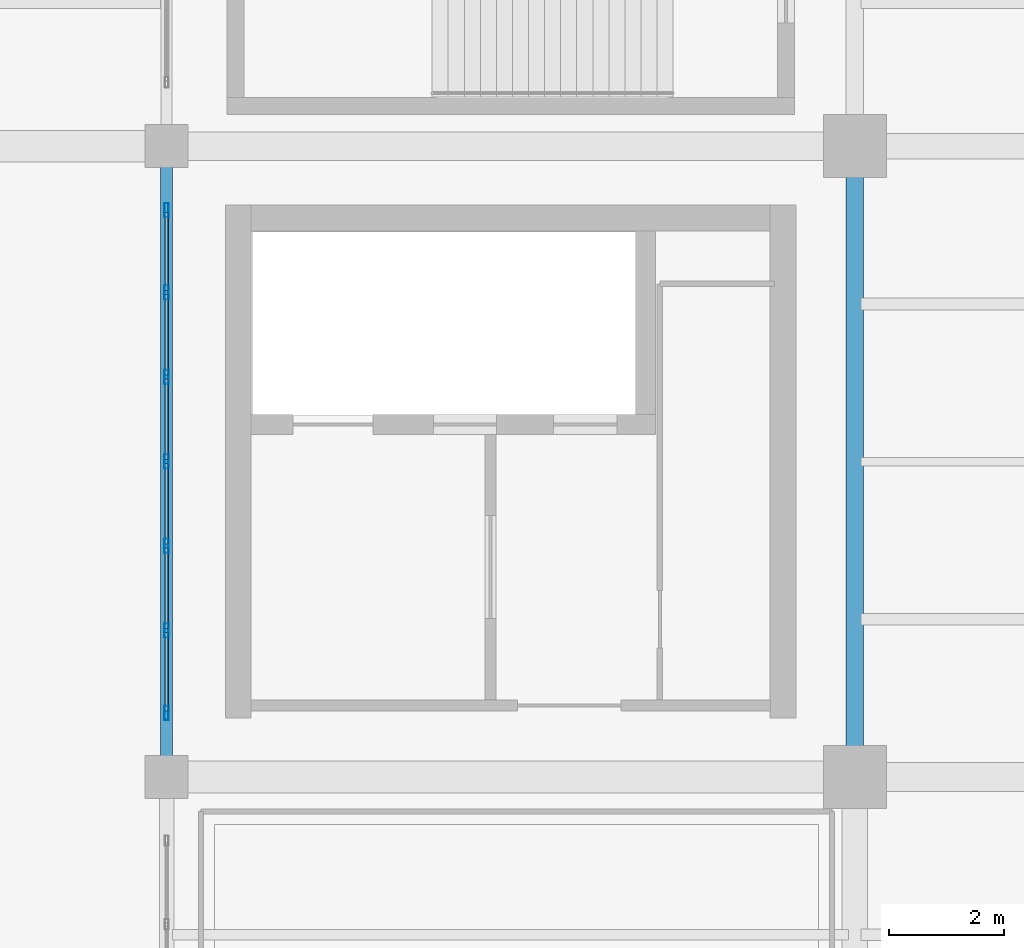
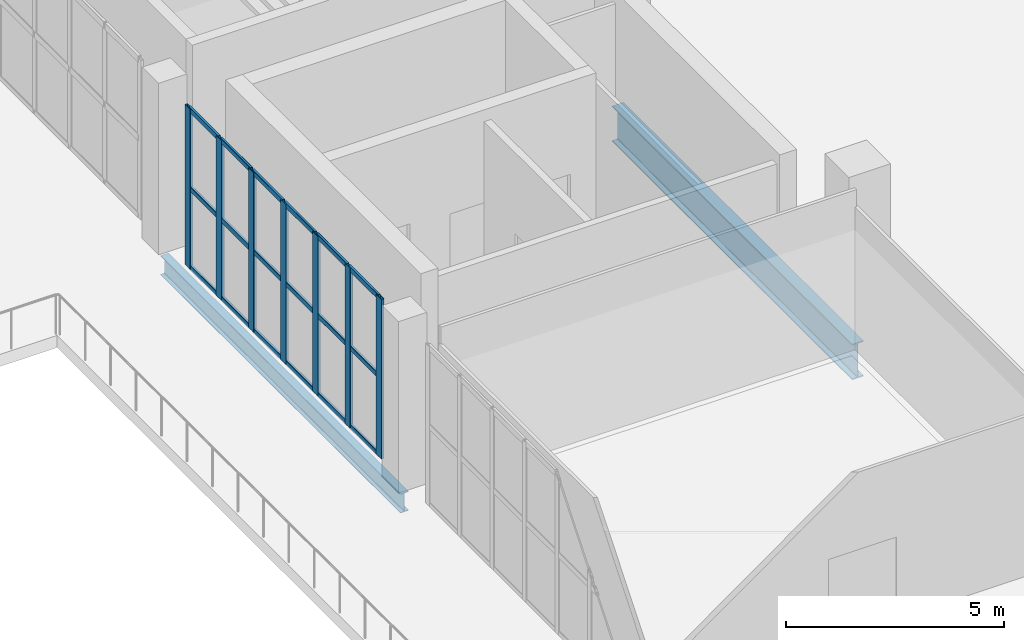
# One storey, part 31 of 136: 25 members, 2 beams, 1 element without a shape of its own.
"""IFC4 building model written with IfcOpenShell, lengths in metres."""

from ifc_helpers import new_model, si_unit, direction, frame, origin, origin_2d, place, context, subcontext, project, spatial, hollow_rectangle, i_section, extrude, material, layer, layer_set, material_profile, profile_set, type_object, element, aggregate, save


model = new_model("IFC4")

# Units and contexts
model_context = context("Model", 3, precision=1e-05, world=origin(), true_north=direction((0.0, 1.0)))
body_context = subcontext(model_context, "Body", "Model", "MODEL_VIEW")
ifc_project = project(units=[si_unit("LENGTHUNIT", "METRE"), si_unit("AREAUNIT", "SQUARE_METRE"), si_unit("VOLUMEUNIT", "CUBIC_METRE"), si_unit("PLANEANGLEUNIT", "RADIAN"), si_unit("MASSUNIT", "GRAM", prefix="KILO")], contexts=[model_context])

# Site, building, storey
site_placement = place(None, origin())
site = spatial("IfcSite", under=ifc_project, at=site_placement, CompositionType="ELEMENT")
building_placement = place(site_placement, origin())
building = spatial("IfcBuilding", under=site, at=building_placement, Name="Brinegate Civic Arena", CompositionType="ELEMENT")
storey_placement = place(building_placement, frame((0.0, 0.0, 5.39990234375)))
storey = spatial("IfcBuildingStorey", under=building, at=storey_placement, Name="L01", CompositionType="ELEMENT", Elevation=5.39990234375)

# Curtain wall, members
ifc_material_1 = material(Name="Marine grade aluminium", Category="aluminium")
ifc_layer = layer(ifc_material_1, 0.199951171875, Name="Marine grade aluminium")
ifc_layer_set = layer_set([ifc_layer], Name="Marine grade aluminium")
curtain_wall_type = type_object("IfcCurtainWallType", Name="CW-BOWL-GLAZED-01", PredefinedType="USERDEFINED", material=ifc_layer_set)
curtain_wall_placement = place(storey_placement, origin())
curtain_wall = element("IfcCurtainWall", 1, at=curtain_wall_placement, inside=storey, type_object=curtain_wall_type, Name="Curtain Wall CWA-048", ObjectType="GLAZED CURTAIN WALL", PredefinedType="USERDEFINED")
ifc_material_profile_1 = material_profile(ifc_material_1, hollow_rectangle(XDim=0.074951171875, YDim=0.25, WallThickness=0.006103515625, InnerFilletRadius=0.00390625, OuterFilletRadius=0.008056640625, at=origin_2d()), Name="MUL75X250")
ifc_profile_set_1 = profile_set([ifc_material_profile_1], Name="Marine grade aluminium")
member_type_1 = type_object("IfcMemberType", Name="CW-MULLION-75X250", PredefinedType="MULLION", material=ifc_profile_set_1)
member_1_placement = place(storey_placement, frame((48.0, 32.117431640625, 0.0), z_axis=(0.0, 0.0, 1.0), x_axis=(-1.0, 0.0, 0.0)))
member_1 = element("IfcMember", 2, at=member_1_placement, type_object=member_type_1, Name="CWA-048 mullion 1", PredefinedType="MULLION", context=body_context, shape_type="SweptSolid", body=[
    extrude(hollow_rectangle(XDim=0.074951171875, YDim=0.25, WallThickness=0.006103515625, InnerFilletRadius=0.00390625, OuterFilletRadius=0.008056640625, at=origin_2d()), origin(), (0.0, 0.0, 1.0), 4.47021484375),
])
member_2_placement = place(storey_placement, frame((48.0, 33.55322265625, 0.0), z_axis=(0.0, 0.0, 1.0), x_axis=(-1.0, 0.0, 0.0)))
member_2 = element("IfcMember", 3, at=member_2_placement, type_object=member_type_1, Name="CWA-048 mullion 2", PredefinedType="MULLION", context=body_context, shape_type="SweptSolid", body=[
    extrude(hollow_rectangle(XDim=0.074951171875, YDim=0.25, WallThickness=0.006103515625, InnerFilletRadius=0.00390625, OuterFilletRadius=0.008056640625, at=origin_2d()), origin(), (0.0, 0.0, 1.0), 4.47021484375),
])
member_3_placement = place(storey_placement, frame((48.0, 35.026611328125, 0.0), z_axis=(0.0, 0.0, 1.0), x_axis=(-1.0, 0.0, 0.0)))
member_3 = element("IfcMember", 4, at=member_3_placement, type_object=member_type_1, Name="CWA-048 mullion 3", PredefinedType="MULLION", context=body_context, shape_type="SweptSolid", body=[
    extrude(hollow_rectangle(XDim=0.074951171875, YDim=0.25, WallThickness=0.006103515625, InnerFilletRadius=0.00390625, OuterFilletRadius=0.008056640625, at=origin_2d()), origin(), (0.0, 0.0, 1.0), 4.47021484375),
])
member_4_placement = place(storey_placement, frame((48.0, 36.5, 0.0), z_axis=(0.0, 0.0, 1.0), x_axis=(-1.0, 0.0, 0.0)))
member_4 = element("IfcMember", 5, at=member_4_placement, type_object=member_type_1, Name="CWA-048 mullion 4", PredefinedType="MULLION", context=body_context, shape_type="SweptSolid", body=[
    extrude(hollow_rectangle(XDim=0.074951171875, YDim=0.25, WallThickness=0.006103515625, InnerFilletRadius=0.00390625, OuterFilletRadius=0.008056640625, at=origin_2d()), origin(), (0.0, 0.0, 1.0), 4.47021484375),
])
member_5_placement = place(storey_placement, frame((48.0, 37.973388671875, 0.0), z_axis=(0.0, 0.0, 1.0), x_axis=(-1.0, 0.0, 0.0)))
member_5 = element("IfcMember", 6, at=member_5_placement, type_object=member_type_1, Name="CWA-048 mullion 5", PredefinedType="MULLION", context=body_context, shape_type="SweptSolid", body=[
    extrude(hollow_rectangle(XDim=0.074951171875, YDim=0.25, WallThickness=0.006103515625, InnerFilletRadius=0.00390625, OuterFilletRadius=0.008056640625, at=origin_2d()), origin(), (0.0, 0.0, 1.0), 4.47021484375),
])
member_6_placement = place(storey_placement, frame((48.0, 39.44677734375, 0.0), z_axis=(0.0, 0.0, 1.0), x_axis=(-1.0, 0.0, 0.0)))
member_6 = element("IfcMember", 7, at=member_6_placement, type_object=member_type_1, Name="CWA-048 mullion 6", PredefinedType="MULLION", context=body_context, shape_type="SweptSolid", body=[
    extrude(hollow_rectangle(XDim=0.074951171875, YDim=0.25, WallThickness=0.006103515625, InnerFilletRadius=0.00390625, OuterFilletRadius=0.008056640625, at=origin_2d()), origin(), (0.0, 0.0, 1.0), 4.47021484375),
])
member_7_placement = place(storey_placement, frame((48.0, 40.882568359375, 0.0), z_axis=(0.0, 0.0, 1.0), x_axis=(-1.0, 0.0, 0.0)))
member_7 = element("IfcMember", 8, at=member_7_placement, type_object=member_type_1, Name="CWA-048 mullion 7", PredefinedType="MULLION", context=body_context, shape_type="SweptSolid", body=[
    extrude(hollow_rectangle(XDim=0.074951171875, YDim=0.25, WallThickness=0.006103515625, InnerFilletRadius=0.00390625, OuterFilletRadius=0.008056640625, at=origin_2d()), origin(), (0.0, 0.0, 1.0), 4.47021484375),
])
ifc_material_profile_2 = material_profile(ifc_material_1, hollow_rectangle(XDim=0.06494140625, YDim=0.139892578125, WallThickness=0.0048828125, InnerFilletRadius=0.00390625, OuterFilletRadius=0.008056640625, at=origin_2d()), Name="TRN65X140")
ifc_profile_set_2 = profile_set([ifc_material_profile_2], Name="Marine grade aluminium")
member_type_2 = type_object("IfcMemberType", Name="CW-TRANSOM-65X140", PredefinedType="USERDEFINED", material=ifc_profile_set_2)
member_8_placement = place(storey_placement, frame((48.0, 32.155029296875, 0.03271484375), z_axis=(0.0, 1.0, 0.0), x_axis=(-1.0, 0.0, 0.0)))
member_8 = element("IfcMember", 9, at=member_8_placement, type_object=member_type_2, Name="CWA-048 transom 1.1", ObjectType="TRANSOM", PredefinedType="USERDEFINED", context=body_context, shape_type="SweptSolid", body=[
    extrude(hollow_rectangle(XDim=0.06494140625, YDim=0.139892578125, WallThickness=0.0048828125, InnerFilletRadius=0.00390625, OuterFilletRadius=0.008056640625, at=origin_2d()), origin(), (0.0, 0.0, 1.0), 1.36083984375),
])
member_9_placement = place(storey_placement, frame((48.0, 32.155029296875, 2.235107421875), z_axis=(0.0, 1.0, 0.0), x_axis=(-1.0, 0.0, 0.0)))
member_9 = element("IfcMember", 10, at=member_9_placement, type_object=member_type_2, Name="CWA-048 transom 1.2", ObjectType="TRANSOM", PredefinedType="USERDEFINED", context=body_context, shape_type="SweptSolid", body=[
    extrude(hollow_rectangle(XDim=0.06494140625, YDim=0.139892578125, WallThickness=0.0048828125, InnerFilletRadius=0.00390625, OuterFilletRadius=0.008056640625, at=origin_2d()), origin(), (0.0, 0.0, 1.0), 1.36083984375),
])
member_10_placement = place(storey_placement, frame((48.0, 32.155029296875, 4.4375), z_axis=(0.0, 1.0, 0.0), x_axis=(-1.0, 0.0, 0.0)))
member_10 = element("IfcMember", 11, at=member_10_placement, type_object=member_type_2, Name="CWA-048 transom 1.3", ObjectType="TRANSOM", PredefinedType="USERDEFINED", context=body_context, shape_type="SweptSolid", body=[
    extrude(hollow_rectangle(XDim=0.06494140625, YDim=0.139892578125, WallThickness=0.0048828125, InnerFilletRadius=0.00390625, OuterFilletRadius=0.008056640625, at=origin_2d()), origin(), (0.0, 0.0, 1.0), 1.36083984375),
])
member_11_placement = place(storey_placement, frame((48.0, 33.5908203125, 0.03271484375), z_axis=(0.0, 1.0, 0.0), x_axis=(-1.0, 0.0, 0.0)))
member_11 = element("IfcMember", 12, at=member_11_placement, type_object=member_type_2, Name="CWA-048 transom 2.1", ObjectType="TRANSOM", PredefinedType="USERDEFINED", context=body_context, shape_type="SweptSolid", body=[
    extrude(hollow_rectangle(XDim=0.06494140625, YDim=0.139892578125, WallThickness=0.0048828125, InnerFilletRadius=0.00390625, OuterFilletRadius=0.008056640625, at=origin_2d()), origin(), (0.0, 0.0, 1.0), 1.3984375),
])
member_12_placement = place(storey_placement, frame((48.0, 33.5908203125, 2.235107421875), z_axis=(0.0, 1.0, 0.0), x_axis=(-1.0, 0.0, 0.0)))
member_12 = element("IfcMember", 13, at=member_12_placement, type_object=member_type_2, Name="CWA-048 transom 2.2", ObjectType="TRANSOM", PredefinedType="USERDEFINED", context=body_context, shape_type="SweptSolid", body=[
    extrude(hollow_rectangle(XDim=0.06494140625, YDim=0.139892578125, WallThickness=0.0048828125, InnerFilletRadius=0.00390625, OuterFilletRadius=0.008056640625, at=origin_2d()), origin(), (0.0, 0.0, 1.0), 1.3984375),
])
member_13_placement = place(storey_placement, frame((48.0, 33.5908203125, 4.4375), z_axis=(0.0, 1.0, 0.0), x_axis=(-1.0, 0.0, 0.0)))
member_13 = element("IfcMember", 14, at=member_13_placement, type_object=member_type_2, Name="CWA-048 transom 2.3", ObjectType="TRANSOM", PredefinedType="USERDEFINED", context=body_context, shape_type="SweptSolid", body=[
    extrude(hollow_rectangle(XDim=0.06494140625, YDim=0.139892578125, WallThickness=0.0048828125, InnerFilletRadius=0.00390625, OuterFilletRadius=0.008056640625, at=origin_2d()), origin(), (0.0, 0.0, 1.0), 1.3984375),
])
member_14_placement = place(storey_placement, frame((48.0, 35.064208984375, 0.03271484375), z_axis=(0.0, 1.0, 0.0), x_axis=(-1.0, 0.0, 0.0)))
member_14 = element("IfcMember", 15, at=member_14_placement, type_object=member_type_2, Name="CWA-048 transom 3.1", ObjectType="TRANSOM", PredefinedType="USERDEFINED", context=body_context, shape_type="SweptSolid", body=[
    extrude(hollow_rectangle(XDim=0.06494140625, YDim=0.139892578125, WallThickness=0.0048828125, InnerFilletRadius=0.00390625, OuterFilletRadius=0.008056640625, at=origin_2d()), origin(), (0.0, 0.0, 1.0), 1.398193359375),
])
member_15_placement = place(storey_placement, frame((48.0, 35.064208984375, 2.235107421875), z_axis=(0.0, 1.0, 0.0), x_axis=(-1.0, 0.0, 0.0)))
member_15 = element("IfcMember", 16, at=member_15_placement, type_object=member_type_2, Name="CWA-048 transom 3.2", ObjectType="TRANSOM", PredefinedType="USERDEFINED", context=body_context, shape_type="SweptSolid", body=[
    extrude(hollow_rectangle(XDim=0.06494140625, YDim=0.139892578125, WallThickness=0.0048828125, InnerFilletRadius=0.00390625, OuterFilletRadius=0.008056640625, at=origin_2d()), origin(), (0.0, 0.0, 1.0), 1.398193359375),
])
member_16_placement = place(storey_placement, frame((48.0, 35.064208984375, 4.4375), z_axis=(0.0, 1.0, 0.0), x_axis=(-1.0, 0.0, 0.0)))
member_16 = element("IfcMember", 17, at=member_16_placement, type_object=member_type_2, Name="CWA-048 transom 3.3", ObjectType="TRANSOM", PredefinedType="USERDEFINED", context=body_context, shape_type="SweptSolid", body=[
    extrude(hollow_rectangle(XDim=0.06494140625, YDim=0.139892578125, WallThickness=0.0048828125, InnerFilletRadius=0.00390625, OuterFilletRadius=0.008056640625, at=origin_2d()), origin(), (0.0, 0.0, 1.0), 1.398193359375),
])
member_17_placement = place(storey_placement, frame((48.0, 36.53759765625, 0.03271484375), z_axis=(0.0, 1.0, 0.0), x_axis=(-1.0, 0.0, 0.0)))
member_17 = element("IfcMember", 18, at=member_17_placement, type_object=member_type_2, Name="CWA-048 transom 4.1", ObjectType="TRANSOM", PredefinedType="USERDEFINED", context=body_context, shape_type="SweptSolid", body=[
    extrude(hollow_rectangle(XDim=0.06494140625, YDim=0.139892578125, WallThickness=0.0048828125, InnerFilletRadius=0.00390625, OuterFilletRadius=0.008056640625, at=origin_2d()), origin(), (0.0, 0.0, 1.0), 1.398193359375),
])
member_18_placement = place(storey_placement, frame((48.0, 36.53759765625, 2.235107421875), z_axis=(0.0, 1.0, 0.0), x_axis=(-1.0, 0.0, 0.0)))
member_18 = element("IfcMember", 19, at=member_18_placement, type_object=member_type_2, Name="CWA-048 transom 4.2", ObjectType="TRANSOM", PredefinedType="USERDEFINED", context=body_context, shape_type="SweptSolid", body=[
    extrude(hollow_rectangle(XDim=0.06494140625, YDim=0.139892578125, WallThickness=0.0048828125, InnerFilletRadius=0.00390625, OuterFilletRadius=0.008056640625, at=origin_2d()), origin(), (0.0, 0.0, 1.0), 1.398193359375),
])
member_19_placement = place(storey_placement, frame((48.0, 36.53759765625, 4.4375), z_axis=(0.0, 1.0, 0.0), x_axis=(-1.0, 0.0, 0.0)))
member_19 = element("IfcMember", 20, at=member_19_placement, type_object=member_type_2, Name="CWA-048 transom 4.3", ObjectType="TRANSOM", PredefinedType="USERDEFINED", context=body_context, shape_type="SweptSolid", body=[
    extrude(hollow_rectangle(XDim=0.06494140625, YDim=0.139892578125, WallThickness=0.0048828125, InnerFilletRadius=0.00390625, OuterFilletRadius=0.008056640625, at=origin_2d()), origin(), (0.0, 0.0, 1.0), 1.398193359375),
])
member_20_placement = place(storey_placement, frame((48.0, 38.0107421875, 0.03271484375), z_axis=(0.0, 1.0, 0.0), x_axis=(-1.0, 0.0, 0.0)))
member_20 = element("IfcMember", 21, at=member_20_placement, type_object=member_type_2, Name="CWA-048 transom 5.1", ObjectType="TRANSOM", PredefinedType="USERDEFINED", context=body_context, shape_type="SweptSolid", body=[
    extrude(hollow_rectangle(XDim=0.06494140625, YDim=0.139892578125, WallThickness=0.0048828125, InnerFilletRadius=0.00390625, OuterFilletRadius=0.008056640625, at=origin_2d()), origin(), (0.0, 0.0, 1.0), 1.3984375),
])
member_21_placement = place(storey_placement, frame((48.0, 38.0107421875, 2.235107421875), z_axis=(0.0, 1.0, 0.0), x_axis=(-1.0, 0.0, 0.0)))
member_21 = element("IfcMember", 22, at=member_21_placement, type_object=member_type_2, Name="CWA-048 transom 5.2", ObjectType="TRANSOM", PredefinedType="USERDEFINED", context=body_context, shape_type="SweptSolid", body=[
    extrude(hollow_rectangle(XDim=0.06494140625, YDim=0.139892578125, WallThickness=0.0048828125, InnerFilletRadius=0.00390625, OuterFilletRadius=0.008056640625, at=origin_2d()), origin(), (0.0, 0.0, 1.0), 1.3984375),
])
member_22_placement = place(storey_placement, frame((48.0, 38.0107421875, 4.4375), z_axis=(0.0, 1.0, 0.0), x_axis=(-1.0, 0.0, 0.0)))
member_22 = element("IfcMember", 23, at=member_22_placement, type_object=member_type_2, Name="CWA-048 transom 5.3", ObjectType="TRANSOM", PredefinedType="USERDEFINED", context=body_context, shape_type="SweptSolid", body=[
    extrude(hollow_rectangle(XDim=0.06494140625, YDim=0.139892578125, WallThickness=0.0048828125, InnerFilletRadius=0.00390625, OuterFilletRadius=0.008056640625, at=origin_2d()), origin(), (0.0, 0.0, 1.0), 1.3984375),
])
member_23_placement = place(storey_placement, frame((48.0, 39.484130859375, 0.03271484375), z_axis=(0.0, 1.0, 0.0), x_axis=(-1.0, 0.0, 0.0)))
member_23 = element("IfcMember", 24, at=member_23_placement, type_object=member_type_2, Name="CWA-048 transom 6.1", ObjectType="TRANSOM", PredefinedType="USERDEFINED", context=body_context, shape_type="SweptSolid", body=[
    extrude(hollow_rectangle(XDim=0.06494140625, YDim=0.139892578125, WallThickness=0.0048828125, InnerFilletRadius=0.00390625, OuterFilletRadius=0.008056640625, at=origin_2d()), origin(), (0.0, 0.0, 1.0), 1.36083984375),
])
member_24_placement = place(storey_placement, frame((48.0, 39.484130859375, 2.235107421875), z_axis=(0.0, 1.0, 0.0), x_axis=(-1.0, 0.0, 0.0)))
member_24 = element("IfcMember", 25, at=member_24_placement, type_object=member_type_2, Name="CWA-048 transom 6.2", ObjectType="TRANSOM", PredefinedType="USERDEFINED", context=body_context, shape_type="SweptSolid", body=[
    extrude(hollow_rectangle(XDim=0.06494140625, YDim=0.139892578125, WallThickness=0.0048828125, InnerFilletRadius=0.00390625, OuterFilletRadius=0.008056640625, at=origin_2d()), origin(), (0.0, 0.0, 1.0), 1.36083984375),
])
member_25_placement = place(storey_placement, frame((48.0, 39.484130859375, 4.4375), z_axis=(0.0, 1.0, 0.0), x_axis=(-1.0, 0.0, 0.0)))
member_25 = element("IfcMember", 26, at=member_25_placement, type_object=member_type_2, Name="CWA-048 transom 6.3", ObjectType="TRANSOM", PredefinedType="USERDEFINED", context=body_context, shape_type="SweptSolid", body=[
    extrude(hollow_rectangle(XDim=0.06494140625, YDim=0.139892578125, WallThickness=0.0048828125, InnerFilletRadius=0.00390625, OuterFilletRadius=0.008056640625, at=origin_2d()), origin(), (0.0, 0.0, 1.0), 1.36083984375),
])
aggregate(curtain_wall, [member_1, member_2, member_3, member_4, member_5, member_6, member_7, member_8, member_9, member_10, member_11, member_12, member_13, member_14, member_15, member_16, member_17, member_18, member_19, member_20, member_21, member_22, member_23, member_24, member_25])

# Beams
ifc_material_2 = material(Name="Steel S355", Category="steel")
ifc_material_profile_3 = material_profile(ifc_material_2, i_section(OverallWidth=0.300048828125, OverallDepth=1.0, WebThickness=0.01904296875, FlangeThickness=0.031982421875, FilletRadius=0.02392578125, at=origin_2d()), Name="W1000X321")
ifc_profile_set_3 = profile_set([ifc_material_profile_3], Name="Steel S355")
beam_type_1 = type_object("IfcBeamType", Name="GIRDER-W1000X321", PredefinedType="BEAM", material=ifc_profile_set_3)
beam_1_placement = place(storey_placement, frame((60.0, 31.0, -0.83984375), z_axis=(0.0, 1.0, 0.0), x_axis=(-1.0, 0.0, 0.0)))
element("IfcBeam", 27, at=beam_1_placement, inside=storey, type_object=beam_type_1, Name="Floor Girder BM-L01-GY-05-03", PredefinedType="BEAM", context=body_context, shape_type="SweptSolid", body=[
    extrude(i_section(OverallWidth=0.300048828125, OverallDepth=1.0, WebThickness=0.01904296875, FlangeThickness=0.031982421875, FilletRadius=0.02392578125, at=origin_2d()), origin(), (0.0, 0.0, 1.0), 11.0),
])
ifc_material_profile_4 = material_profile(ifc_material_2, i_section(OverallWidth=0.2119140625, OverallDepth=0.5439453125, WebThickness=0.012939453125, FlangeThickness=0.02099609375, FilletRadius=0.01611328125, at=origin_2d()), Name="W530X123")
ifc_profile_set_4 = profile_set([ifc_material_profile_4], Name="Steel S355")
beam_type_2 = type_object("IfcBeamType", Name="SPANDREL-W530X123", PredefinedType="SPANDREL", material=ifc_profile_set_4)
beam_2_placement = place(storey_placement, frame((48.0, 31.0, -0.61181640625), z_axis=(0.0, 1.0, 0.0), x_axis=(-1.0, 0.0, 0.0)))
element("IfcBeam", 28, at=beam_2_placement, inside=storey, type_object=beam_type_2, Name="Floor Girder BM-L01-GY-04-03", PredefinedType="SPANDREL", context=body_context, shape_type="SweptSolid", body=[
    extrude(i_section(OverallWidth=0.2119140625, OverallDepth=0.5439453125, WebThickness=0.012939453125, FlangeThickness=0.02099609375, FilletRadius=0.01611328125, at=origin_2d()), origin(), (0.0, 0.0, 1.0), 11.0),
])

save(model, "model.ifc")
